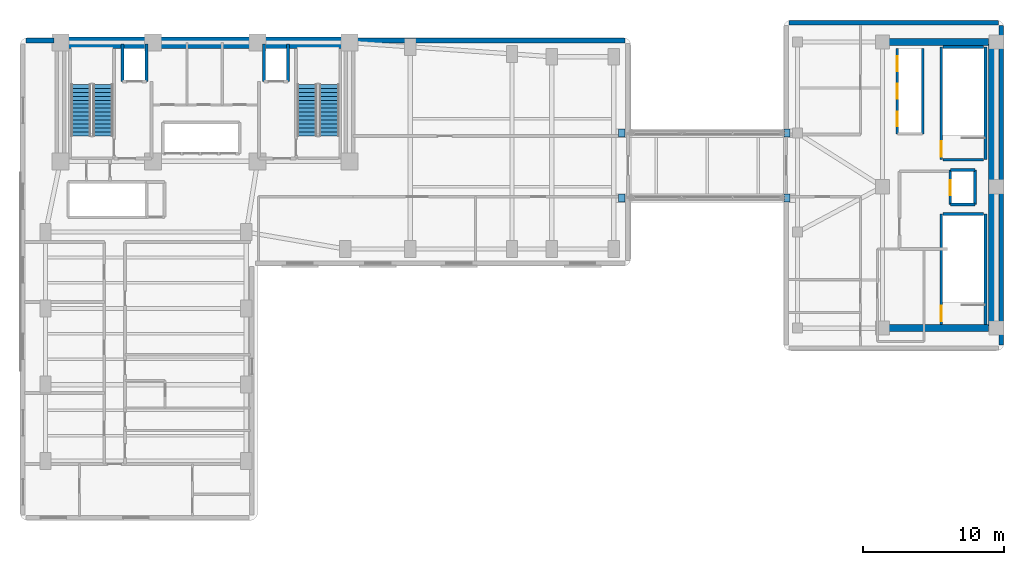
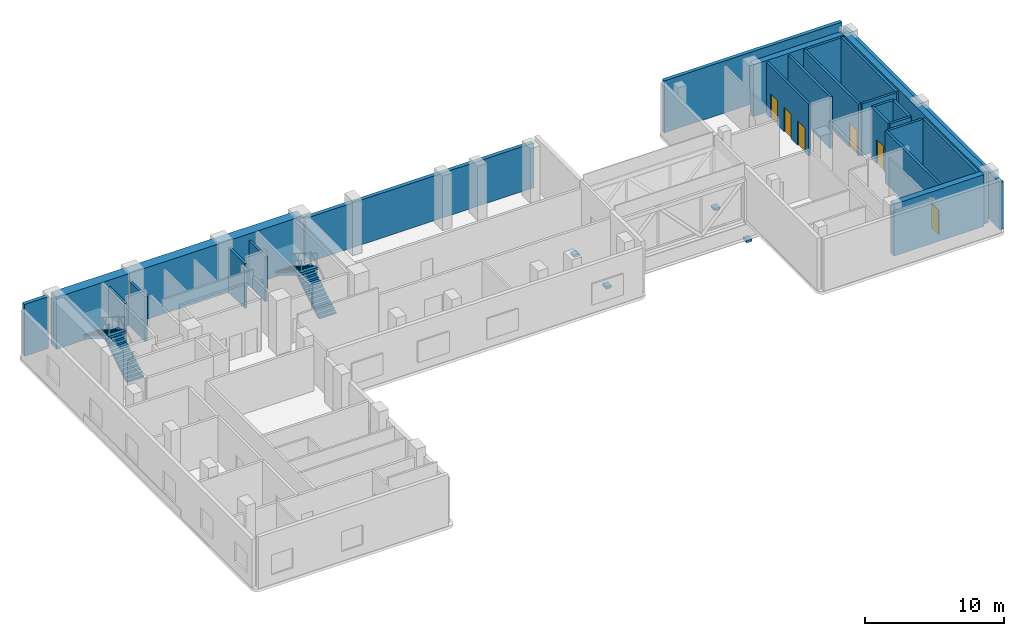
# One storey, part 14 of 17: 25 walls, 6 doors, 4 discrete accessories, 4 stair flights, 6 openings, 2 elements without a shape of their own.
"""IFC4 building model written with IfcOpenShell, lengths in metres."""

from ifc_helpers import new_model, si_unit, direction, frame, frame_2d, origin, origin_2d, place, context, subcontext, project, spatial, polyline, rectangle, outline, extrude, material, layer, layer_set, type_object, element, fill, aggregate, save


model = new_model("IFC4")

# Units and contexts
model_context = context("Model", 3, precision=1e-05, world=origin(), true_north=direction((0.0, 1.0)))
body_context = subcontext(model_context, "Body", "Model", "MODEL_VIEW")
ifc_project = project(units=[si_unit("LENGTHUNIT", "METRE"), si_unit("AREAUNIT", "SQUARE_METRE"), si_unit("VOLUMEUNIT", "CUBIC_METRE"), si_unit("PLANEANGLEUNIT", "RADIAN"), si_unit("MASSUNIT", "GRAM", prefix="KILO")], contexts=[model_context])

# Site, building, storey
site_placement = place(None, origin())
site = spatial("IfcSite", under=ifc_project, at=site_placement, CompositionType="ELEMENT")
building_placement = place(site_placement, origin())
building = spatial("IfcBuilding", under=site, at=building_placement, Name="Kuzgunbayir Cultural Tower", CompositionType="ELEMENT")
storey_placement = place(building_placement, frame((0.0, 0.0, 102.60009765625)))
storey = spatial("IfcBuildingStorey", under=building, at=storey_placement, Name="L29", CompositionType="ELEMENT", Elevation=102.60009765625)

# Walls
ifc_material_1 = material(Name="Concrete C60/75", Category="concrete")
ifc_layer_1 = layer(ifc_material_1, 0.800048828125)
ifc_layer_set_1 = layer_set([ifc_layer_1], Name="Concrete C60/75")
wall_type_1 = type_object("IfcWallType", Name="WAL-CORE-800", PredefinedType="SHEAR", material=ifc_layer_set_1)
wall_1_placement = place(storey_placement, frame((6.449951171875, 42.199951171875, 0.0), z_axis=(0.0, 0.0, 1.0), x_axis=(1.0, 0.0, 0.0)))
element("IfcWall", 1, at=wall_1_placement, inside=storey, type_object=wall_type_1, Name="L29 T1 Core North Shear Wall", PredefinedType="SHEAR", context=body_context, shape_type="SweptSolid", body=[
    extrude(rectangle(XDim=20.449951171875, YDim=0.800048828125, at=frame_2d((10.22509765625, 0.0))), origin(), (0.0, 0.0, 1.0), 4.559814453125),
])
ifc_material_2 = material(Name="Anatolian Cream Limestone", Category="masonry")
ifc_layer_2 = layer(ifc_material_2, 0.300048828125)
ifc_layer_set_2 = layer_set([ifc_layer_2], Name="Anatolian Cream Limestone")
wall_type_2 = type_object("IfcWallType", Name="WAL-EXT-STONE-300", PredefinedType="STANDARD", material=ifc_layer_set_2)
wall_2_placement = place(storey_placement, frame((73.0, 20.800048828125, 0.0), z_axis=(0.0, 0.0, 1.0), x_axis=(0.0, 1.0, 0.0)))
element("IfcWall", 2, at=wall_2_placement, inside=storey, type_object=wall_type_2, Name="L29 Companion East Limestone Wall", PredefinedType="STANDARD", context=body_context, shape_type="SweptSolid", body=[
    extrude(rectangle(XDim=22.599853515625, YDim=0.300048828125, at=frame_2d((11.2998046875, 0.0))), origin(), (0.0, 0.0, 1.0), 4.169921875),
])
wall_3_placement = place(storey_placement, frame((72.800048828125, 43.60009765625, 0.0), z_axis=(0.0, 0.0, 1.0), x_axis=(-1.0, 0.0, 0.0)))
element("IfcWall", 3, at=wall_3_placement, inside=storey, type_object=wall_type_2, Name="L29 Companion North Limestone Wall", PredefinedType="STANDARD", context=body_context, shape_type="SweptSolid", body=[
    extrude(rectangle(XDim=14.800048828125, YDim=0.300048828125, at=frame_2d((7.39990234375, 0.0))), origin(), (0.0, 0.0, 1.0), 4.579833984375),
])
ifc_material_3 = material(Name="Travertine Buff Ashlar", Category="masonry")
ifc_layer_3 = layer(ifc_material_3, 0.320068359375)
ifc_layer_set_3 = layer_set([ifc_layer_3], Name="Travertine Buff Ashlar")
wall_type_3 = type_object("IfcWallType", Name="WAL-EXT-STONE-320", PredefinedType="STANDARD", material=ifc_layer_set_3)
wall_4_placement = place(storey_placement, frame((46.39990234375, 42.35009765625, 0.0), z_axis=(0.0, 0.0, 1.0), x_axis=(-1.0, 0.0, 0.0)))
element("IfcWall", 4, at=wall_4_placement, inside=storey, type_object=wall_type_3, Name="L29 North Wing B Limestone Wall", PredefinedType="STANDARD", context=body_context, shape_type="SweptSolid", body=[
    extrude(rectangle(XDim=19.0498046875, YDim=0.320068359375, at=frame_2d((9.52490234375, 0.0))), origin(), (0.0, 0.0, 1.0), 3.949951171875),
])
wall_5_placement = place(storey_placement, frame((6.0, 42.35009765625, 0.0), z_axis=(0.0, 0.0, 1.0), x_axis=(-1.0, 0.0, 0.0)))
element("IfcWall", 5, at=wall_5_placement, inside=storey, type_object=wall_type_3, Name="L29 Core North-West Spandrel Link", PredefinedType="STANDARD", context=body_context, shape_type="SweptSolid", body=[
    extrude(rectangle(XDim=2.0, YDim=0.320068359375, at=frame_2d((1.0, 0.0))), origin(), (0.0, 0.0, 1.0), 4.559814453125),
])
ifc_material_4 = material(Name="Concrete C40/50", Category="concrete")
ifc_layer_4 = layer(ifc_material_4, 0.199951171875)
ifc_layer_set_4 = layer_set([ifc_layer_4], Name="Concrete C40/50")
wall_type_4 = type_object("IfcWallType", Name="WAL-SHAFT-200", PredefinedType="MOVABLE", material=ifc_layer_set_4)
for number, where, z_axis, x_axis, name in (
    (6, (10.85009765625, 39.449951171875, 0.0), (0.0, 0.0, 1.0), (0.0, 1.0, 0.0), "L29 FFL-1 Shaft West Wall"),
    (7, (12.550048828125, 39.449951171875, 0.0), (0.0, 0.0, 1.0), (0.0, 1.0, 0.0), "L29 FFL-1 Shaft East Wall"),
    (8, (20.85009765625, 39.449951171875, 0.0), (0.0, 0.0, 1.0), (0.0, 1.0, 0.0), "L29 FFL-2 Shaft West Wall"),
    (9, (22.550048828125, 39.449951171875, 0.0), (0.0, 0.0, 1.0), (0.0, 1.0, 0.0), "L29 FFL-2 Shaft East Wall"),
):
    element("IfcWall", number, at=place(storey_placement, frame(where, z_axis=z_axis, x_axis=x_axis)), inside=storey, type_object=wall_type_4, Name=name, PredefinedType="MOVABLE", context=body_context, shape_type="SweptSolid", body=[
        extrude(rectangle(XDim=2.650146484375, YDim=0.199951171875, at=frame_2d((1.3251953125, 0.0))), origin(), (0.0, 0.0, 1.0), 3.949951171875),
    ])

# Wall, openings, doors
wall_6_placement = place(storey_placement, frame((65.64990234375, 35.75, 0.0), z_axis=(0.0, 0.0, 1.0), x_axis=(0.0, 1.0, 0.0)))
wall_6 = element("IfcWall", 10, at=wall_6_placement, inside=storey, type_object=wall_type_4, Name="L29 Companion Lift Front Wall", PredefinedType="MOVABLE", context=body_context, shape_type="SweptSolid", body=[
    extrude(rectangle(XDim=6.050048828125, YDim=0.199951171875, at=frame_2d((3.02490234375, 0.0))), origin(), (0.0, 0.0, 1.0), 4.559814453125),
])
opening_1_placement = place(wall_6_placement, frame((0.52001953125, 0.0, 0.0)))
opening_1 = element("IfcOpeningElement", 11, at=opening_1_placement, cuts=wall_6, Name="Opening LD", PredefinedType="OPENING", context=body_context, shape_type="SweptSolid", body=[
    extrude(rectangle(XDim=1.050048828125, YDim=2.14990234375, at=frame_2d((0.52490234375, 1.074951171875))), frame((0.0, 0.10986328125, 0.0), z_axis=(0.0, -1.0, 0.0), x_axis=(1.0, 0.0, 0.0)), (0.0, 0.0, 1.0), 0.219970703125),
])
opening_2_placement = place(wall_6_placement, frame((2.47998046875, 0.0, 0.0)))
opening_2 = element("IfcOpeningElement", 12, at=opening_2_placement, cuts=wall_6, Name="Opening LD", PredefinedType="OPENING", context=body_context, shape_type="SweptSolid", body=[
    extrude(rectangle(XDim=1.050048828125, YDim=2.14990234375, at=frame_2d((0.52490234375, 1.074951171875))), frame((0.0, 0.10986328125, 0.0), z_axis=(0.0, -1.0, 0.0), x_axis=(1.0, 0.0, 0.0)), (0.0, 0.0, 1.0), 0.219970703125),
])
opening_3_placement = place(wall_6_placement, frame((4.429931640625, 0.0, 0.0)))
opening_3 = element("IfcOpeningElement", 13, at=opening_3_placement, cuts=wall_6, Name="Opening LD", PredefinedType="OPENING", context=body_context, shape_type="SweptSolid", body=[
    extrude(rectangle(XDim=1.050048828125, YDim=2.14990234375, at=frame_2d((0.52490234375, 1.074951171875))), frame((0.0, 0.10986328125, 0.0), z_axis=(0.0, -1.0, 0.0), x_axis=(1.0, 0.0, 0.0)), (0.0, 0.0, 1.0), 0.219970703125),
])
ifc_material_5 = material(Name="Brushed Stainless Steel", Category="steel")
door_type_1 = type_object("IfcDoorType", Name="DR-LIFT-LANDING", OperationType="SLIDING_TO_LEFT", PredefinedType="DOOR", material=ifc_material_5)
door_1_placement = place(opening_1_placement, origin())
door_1 = element("IfcDoor", 14, at=door_1_placement, inside=storey, type_object=door_type_1, Name="L29 Lift PC-1 Landing Door", OperationType="SLIDING_TO_LEFT", OverallHeight=2.14990234375, OverallWidth=1.050048828125, PredefinedType="DOOR", context=body_context, shape_type="SweptSolid", body=[
    extrude(rectangle(XDim=1.050048828125, YDim=2.14990234375, at=frame_2d((0.52490234375, 1.074951171875))), frame((0.0, 0.02490234375, 0.0), z_axis=(0.0, -1.0, 0.0), x_axis=(1.0, 0.0, 0.0)), (0.0, 0.0, 1.0), 0.050048828125),
])
fill(opening_1, door_1)
door_2_placement = place(opening_2_placement, origin())
door_2 = element("IfcDoor", 15, at=door_2_placement, inside=storey, type_object=door_type_1, Name="L29 Lift PC-2 Landing Door", OperationType="SLIDING_TO_LEFT", OverallHeight=2.14990234375, OverallWidth=1.050048828125, PredefinedType="DOOR", context=body_context, shape_type="SweptSolid", body=[
    extrude(rectangle(XDim=1.050048828125, YDim=2.14990234375, at=frame_2d((0.52490234375, 1.074951171875))), frame((0.0, 0.02490234375, 0.0), z_axis=(0.0, -1.0, 0.0), x_axis=(1.0, 0.0, 0.0)), (0.0, 0.0, 1.0), 0.050048828125),
])
fill(opening_2, door_2)
door_3_placement = place(opening_3_placement, origin())
door_3 = element("IfcDoor", 16, at=door_3_placement, inside=storey, type_object=door_type_1, Name="L29 Lift PC-3 Landing Door", OperationType="SLIDING_TO_LEFT", OverallHeight=2.14990234375, OverallWidth=1.050048828125, PredefinedType="DOOR", context=body_context, shape_type="SweptSolid", body=[
    extrude(rectangle(XDim=1.050048828125, YDim=2.14990234375, at=frame_2d((0.52490234375, 1.074951171875))), frame((0.0, 0.02490234375, 0.0), z_axis=(0.0, -1.0, 0.0), x_axis=(1.0, 0.0, 0.0)), (0.0, 0.0, 1.0), 0.050048828125),
])
fill(opening_3, door_3)

# Wall
wall_7_placement = place(storey_placement, frame((67.449951171875, 35.75, 0.0), z_axis=(0.0, 0.0, 1.0), x_axis=(0.0, 1.0, 0.0)))
element("IfcWall", 17, at=wall_7_placement, inside=storey, type_object=wall_type_4, Name="L29 Companion Lift Shaft Back Wall", PredefinedType="MOVABLE", context=body_context, shape_type="SweptSolid", body=[
    extrude(rectangle(XDim=6.050048828125, YDim=0.199951171875, at=frame_2d((3.02490234375, 0.0))), origin(), (0.0, 0.0, 1.0), 4.559814453125),
])

# Wall, opening, door
wall_8_placement = place(storey_placement, frame((69.39990234375, 30.75, 0.0), z_axis=(0.0, 0.0, 1.0), x_axis=(0.0, 1.0, 0.0)))
wall_8 = element("IfcWall", 18, at=wall_8_placement, inside=storey, type_object=wall_type_4, Name="L29 FFL-3 Lift Front Wall", PredefinedType="MOVABLE", context=body_context, shape_type="SweptSolid", body=[
    extrude(rectangle(XDim=2.449951171875, YDim=0.199951171875, at=frame_2d((1.22509765625, 0.0))), origin(), (0.0, 0.0, 1.0), 4.559814453125),
])
opening_4_placement = place(wall_8_placement, frame((0.64990234375, 0.0, 0.0)))
opening_4 = element("IfcOpeningElement", 19, at=opening_4_placement, cuts=wall_8, Name="Opening LD", PredefinedType="OPENING", context=body_context, shape_type="SweptSolid", body=[
    extrude(rectangle(XDim=1.050048828125, YDim=2.14990234375, at=frame_2d((0.52490234375, 1.074951171875))), frame((0.0, 0.10986328125, 0.0), z_axis=(0.0, -1.0, 0.0), x_axis=(1.0, 0.0, 0.0)), (0.0, 0.0, 1.0), 0.219970703125),
])
door_4_placement = place(opening_4_placement, origin())
door_4 = element("IfcDoor", 20, at=door_4_placement, inside=storey, type_object=door_type_1, Name="L29 Lift FFL-3 Landing Door", OperationType="SLIDING_TO_LEFT", OverallHeight=2.14990234375, OverallWidth=1.050048828125, PredefinedType="DOOR", context=body_context, shape_type="SweptSolid", body=[
    extrude(rectangle(XDim=1.050048828125, YDim=2.14990234375, at=frame_2d((0.52490234375, 1.074951171875))), frame((0.0, 0.02490234375, 0.0), z_axis=(0.0, -1.0, 0.0), x_axis=(1.0, 0.0, 0.0)), (0.0, 0.0, 1.0), 0.050048828125),
])
fill(opening_4, door_4)

# Walls
wall_9_placement = place(storey_placement, frame((71.14990234375, 30.75, 0.0), z_axis=(0.0, 0.0, 1.0), x_axis=(0.0, 1.0, 0.0)))
element("IfcWall", 21, at=wall_9_placement, inside=storey, type_object=wall_type_4, Name="L29 FFL-3 Shaft Back Wall", PredefinedType="MOVABLE", context=body_context, shape_type="SweptSolid", body=[
    extrude(rectangle(XDim=2.449951171875, YDim=0.199951171875, at=frame_2d((1.22509765625, 0.0))), origin(), (0.0, 0.0, 1.0), 4.559814453125),
])
for number, where, z_axis, x_axis, name in (
    (22, (69.39990234375, 33.199951171875, 0.0), (0.0, 0.0, 1.0), (1.0, 0.0, 0.0), "L29 FFL-3 Shaft North Wall"),
    (23, (69.39990234375, 30.75, 0.0), (0.0, 0.0, 1.0), (1.0, 0.0, 0.0), "L29 FFL-3 Shaft South Wall"),
):
    element("IfcWall", number, at=place(storey_placement, frame(where, z_axis=z_axis, x_axis=x_axis)), inside=storey, type_object=wall_type_4, Name=name, PredefinedType="MOVABLE", context=body_context, shape_type="SweptSolid", body=[
        extrude(rectangle(XDim=1.75, YDim=0.199951171875, at=frame_2d((0.875, 0.0))), origin(), (0.0, 0.0, 1.0), 4.559814453125),
    ])

# Wall, opening, door
ifc_layer_5 = layer(ifc_material_4, 0.199951171875)
ifc_layer_set_5 = layer_set([ifc_layer_5], Name="Concrete C40/50")
wall_type_5 = type_object("IfcWallType", Name="WAL-STAIR-RC-200", PredefinedType="SHEAR", material=ifc_layer_set_5)
wall_10_placement = place(storey_placement, frame((68.760009765625, 22.260009765625, 0.0), z_axis=(0.0, 0.0, 1.0), x_axis=(0.0, 1.0, 0.0)))
wall_10 = element("IfcWall", 24, at=wall_10_placement, inside=storey, type_object=wall_type_5, Name="L29 Stair ST-3 West Structural Wall", PredefinedType="SHEAR", context=body_context, shape_type="SweptSolid", body=[
    extrude(rectangle(XDim=7.820068359375, YDim=0.199951171875, at=frame_2d((3.91015625, 0.0))), origin(), (0.0, 0.0, 1.0), 4.559814453125),
])
opening_5_placement = place(wall_10_placement, frame((0.219970703125, 0.0, 0.0)))
opening_5 = element("IfcOpeningElement", 25, at=opening_5_placement, cuts=wall_10, Name="Opening DR-STAIR-90", PredefinedType="OPENING", context=body_context, shape_type="SweptSolid", body=[
    extrude(rectangle(XDim=1.10009765625, YDim=2.14990234375, at=frame_2d((0.550048828125, 1.074951171875))), frame((0.0, 0.10986328125, 0.0), z_axis=(0.0, -1.0, 0.0), x_axis=(1.0, 0.0, 0.0)), (0.0, 0.0, 1.0), 0.219970703125),
])
ifc_material_6 = material(Name="Steel S355J2", Category="steel")
door_type_2 = type_object("IfcDoorType", Name="DR-STAIR-90", OperationType="NOTDEFINED", PredefinedType="DOOR", material=ifc_material_6)
door_5_placement = place(opening_5_placement, origin())
door_5 = element("IfcDoor", 26, at=door_5_placement, inside=storey, type_object=door_type_2, Name="L29 Stair ST-3 Fire Door", OperationType="SINGLE_SWING_LEFT", OverallHeight=2.14990234375, OverallWidth=1.10009765625, PredefinedType="DOOR", context=body_context, shape_type="SweptSolid", body=[
    extrude(rectangle(XDim=1.10009765625, YDim=2.14990234375, at=frame_2d((0.550048828125, 1.074951171875))), frame((0.0, 0.02490234375, 0.0), z_axis=(0.0, -1.0, 0.0), x_axis=(1.0, 0.0, 0.0)), (0.0, 0.0, 1.0), 0.050048828125),
])
fill(opening_5, door_5)

# Walls
wall_11_placement = place(storey_placement, frame((71.8798828125, 22.260009765625, 0.0), z_axis=(0.0, 0.0, 1.0), x_axis=(0.0, 1.0, 0.0)))
element("IfcWall", 27, at=wall_11_placement, inside=storey, type_object=wall_type_5, Name="L29 Stair ST-3 East Structural Wall", PredefinedType="SHEAR", context=body_context, shape_type="SweptSolid", body=[
    extrude(rectangle(XDim=7.820068359375, YDim=0.199951171875, at=frame_2d((3.91015625, 0.0))), origin(), (0.0, 0.0, 1.0), 4.559814453125),
])
wall_12_placement = place(storey_placement, frame((68.8798828125, 30.080078125, 0.0), z_axis=(0.0, 0.0, 1.0), x_axis=(1.0, 0.0, 0.0)))
element("IfcWall", 28, at=wall_12_placement, inside=storey, type_object=wall_type_5, Name="L29 Stair ST-3 North Structural Wall", PredefinedType="SHEAR", context=body_context, shape_type="SweptSolid", body=[
    extrude(rectangle(XDim=2.880126953125, YDim=0.199951171875, at=frame_2d((1.43994140625, 0.0))), origin(), (0.0, 0.0, 1.0), 4.559814453125),
])

# Wall, opening, door
wall_13_placement = place(storey_placement, frame((68.760009765625, 33.919921875, 0.0), z_axis=(0.0, 0.0, 1.0), x_axis=(0.0, 1.0, 0.0)))
wall_13 = element("IfcWall", 29, at=wall_13_placement, inside=storey, type_object=wall_type_5, Name="L29 Stair ST-4 West Structural Wall", PredefinedType="SHEAR", context=body_context, shape_type="SweptSolid", body=[
    extrude(rectangle(XDim=7.9599609375, YDim=0.199951171875, at=frame_2d((3.97998046875, 0.0))), origin(), (0.0, 0.0, 1.0), 4.559814453125),
])
opening_6_placement = place(wall_13_placement, frame((0.219970703125, 0.0, 0.0)))
opening_6 = element("IfcOpeningElement", 30, at=opening_6_placement, cuts=wall_13, Name="Opening DR-STAIR-90", PredefinedType="OPENING", context=body_context, shape_type="SweptSolid", body=[
    extrude(rectangle(XDim=1.10009765625, YDim=2.14990234375, at=frame_2d((0.550048828125, 1.074951171875))), frame((0.0, 0.10986328125, 0.0), z_axis=(0.0, -1.0, 0.0), x_axis=(1.0, 0.0, 0.0)), (0.0, 0.0, 1.0), 0.219970703125),
])
door_6_placement = place(opening_6_placement, origin())
door_6 = element("IfcDoor", 31, at=door_6_placement, inside=storey, type_object=door_type_2, Name="L29 Stair ST-4 Fire Door", OperationType="SINGLE_SWING_RIGHT", OverallHeight=2.14990234375, OverallWidth=1.10009765625, PredefinedType="DOOR", context=body_context, shape_type="SweptSolid", body=[
    extrude(rectangle(XDim=1.10009765625, YDim=2.14990234375, at=frame_2d((0.550048828125, 1.074951171875))), frame((0.0, 0.02490234375, 0.0), z_axis=(0.0, -1.0, 0.0), x_axis=(1.0, 0.0, 0.0)), (0.0, 0.0, 1.0), 0.050048828125),
])
fill(opening_6, door_6)

# Walls
wall_14_placement = place(storey_placement, frame((71.8798828125, 33.919921875, 0.0), z_axis=(0.0, 0.0, 1.0), x_axis=(0.0, 1.0, 0.0)))
element("IfcWall", 32, at=wall_14_placement, inside=storey, type_object=wall_type_5, Name="L29 Stair ST-4 East Structural Wall", PredefinedType="SHEAR", context=body_context, shape_type="SweptSolid", body=[
    extrude(rectangle(XDim=7.9599609375, YDim=0.199951171875, at=frame_2d((3.97998046875, 0.0))), origin(), (0.0, 0.0, 1.0), 4.559814453125),
])
for number, where, z_axis, x_axis, name in (
    (33, (68.8798828125, 41.8798828125, 0.0), (0.0, 0.0, 1.0), (1.0, 0.0, 0.0), "L29 Stair ST-4 North Structural Wall"),
    (34, (68.8798828125, 33.919921875, 0.0), (0.0, 0.0, 1.0), (1.0, 0.0, 0.0), "L29 Stair ST-4 South Structural Wall"),
):
    element("IfcWall", number, at=place(storey_placement, frame(where, z_axis=z_axis, x_axis=x_axis)), inside=storey, type_object=wall_type_5, Name=name, PredefinedType="SHEAR", context=body_context, shape_type="SweptSolid", body=[
        extrude(rectangle(XDim=2.880126953125, YDim=0.199951171875, at=frame_2d((1.43994140625, 0.0))), origin(), (0.0, 0.0, 1.0), 4.559814453125),
    ])
ifc_layer_6 = layer(ifc_material_1, 0.5)
ifc_layer_set_6 = layer_set([ifc_layer_6], Name="Concrete C60/75")
wall_type_6 = type_object("IfcWallType", Name="WAL-T2-CORE-500", PredefinedType="SHEAR", material=ifc_layer_set_6)
wall_15_placement = place(storey_placement, frame((72.35009765625, 22.0, 0.0), z_axis=(0.0, 0.0, 1.0), x_axis=(0.0, 1.0, 0.0)))
element("IfcWall", 35, at=wall_15_placement, inside=storey, type_object=wall_type_6, Name="L29 Companion Core East Shear Wall", PredefinedType="SHEAR", context=body_context, shape_type="SweptSolid", body=[
    extrude(rectangle(XDim=20.25, YDim=0.5, at=frame_2d((10.125, 0.0))), origin(), (0.0, 0.0, 1.0), 4.559814453125),
])
for number, where, z_axis, x_axis, name in (
    (36, (64.60009765625, 42.25, 0.0), (0.0, 0.0, 1.0), (1.0, 0.0, 0.0), "L29 Companion Core North Shear Wall"),
    (37, (64.60009765625, 22.0, 0.0), (0.0, 0.0, 1.0), (1.0, 0.0, 0.0), "L29 Companion Core South Shear Wall"),
):
    element("IfcWall", number, at=place(storey_placement, frame(where, z_axis=z_axis, x_axis=x_axis)), inside=storey, type_object=wall_type_6, Name=name, PredefinedType="SHEAR", context=body_context, shape_type="SweptSolid", body=[
        extrude(rectangle(XDim=7.5, YDim=0.5, at=frame_2d((3.75, 0.0))), origin(), (0.0, 0.0, 1.0), 4.559814453125),
    ])

# Stair, stair flights
stair_type = type_object("IfcStairType", Name="STR-EXIT-CORE", PredefinedType="HALF_TURN_STAIR", material=ifc_material_4)
stair_1_placement = place(storey_placement, origin())
stair_1 = element("IfcStair", 38, at=stair_1_placement, inside=storey, type_object=stair_type, Name="L29 ST-1", PredefinedType="HALF_TURN_STAIR")
stair_flight_type = type_object("IfcStairFlightType", Name="STRF-RC-140", PredefinedType="STRAIGHT", material=ifc_material_4)
stair_flight_1_placement = place(storey_placement, frame((9.4599609375, 35.60009765625, 0.0), z_axis=(0.0, 0.0, 1.0), x_axis=(0.0, 1.0, 0.0)))
stair_flight_1 = element("IfcStairFlight", 39, at=stair_flight_1_placement, type_object=stair_flight_type, Name="ST-1 flight 1", NumberOfRisers=14, NumberOfTreads=13, PredefinedType="STRAIGHT", RiserHeight=0.171428571, TreadLength=0.28, context=body_context, shape_type="SweptSolid", body=[
    extrude(outline(polyline([(0.0, 0.0), (0.0, 0.17138671875), (0.280029296875, 0.17138671875), (0.280029296875, 0.3427734375), (0.56005859375, 0.3427734375), (0.56005859375, 0.514404296875), (0.840087890625, 0.514404296875), (0.840087890625, 0.685791015625), (1.1201171875, 0.685791015625), (1.1201171875, 0.857177734375), (1.39990234375, 0.857177734375), (1.39990234375, 1.028564453125), (1.679931640625, 1.028564453125), (1.679931640625, 1.199951171875), (1.9599609375, 1.199951171875), (1.9599609375, 1.371337890625), (2.239990234375, 1.371337890625), (2.239990234375, 1.54296875), (2.52001953125, 1.54296875), (2.52001953125, 1.71435546875), (2.800048828125, 1.71435546875), (2.800048828125, 1.8857421875), (3.080078125, 1.8857421875), (3.080078125, 2.05712890625), (3.360107421875, 2.05712890625), (3.360107421875, 2.228515625), (3.639892578125, 2.228515625), (3.639892578125, 2.39990234375), (3.639892578125, 2.017578125), (0.344482421875, 0.0), (0.0, 0.0)])), frame((0.0, 0.699951171875, 0.0), z_axis=(0.0, -1.0, 0.0), x_axis=(1.0, 0.0, 0.0)), (0.0, 0.0, 1.0), 1.39990234375),
])
stair_flight_2_placement = place(storey_placement, frame((7.89990234375, 39.239990234375, 2.39990234375), z_axis=(0.0, 0.0, 1.0), x_axis=(0.0, -1.0, 0.0)))
stair_flight_2 = element("IfcStairFlight", 40, at=stair_flight_2_placement, type_object=stair_flight_type, Name="ST-1 flight 2", NumberOfRisers=14, NumberOfTreads=13, PredefinedType="STRAIGHT", RiserHeight=0.171428571, TreadLength=0.28, context=body_context, shape_type="SweptSolid", body=[
    extrude(outline(polyline([(0.0, 0.0), (0.0, 0.17138671875), (0.280029296875, 0.17138671875), (0.280029296875, 0.3427734375), (0.56005859375, 0.3427734375), (0.56005859375, 0.514404296875), (0.840087890625, 0.514404296875), (0.840087890625, 0.685791015625), (1.1201171875, 0.685791015625), (1.1201171875, 0.857177734375), (1.39990234375, 0.857177734375), (1.39990234375, 1.028564453125), (1.679931640625, 1.028564453125), (1.679931640625, 1.199951171875), (1.9599609375, 1.199951171875), (1.9599609375, 1.371337890625), (2.239990234375, 1.371337890625), (2.239990234375, 1.54296875), (2.52001953125, 1.54296875), (2.52001953125, 1.71435546875), (2.800048828125, 1.71435546875), (2.800048828125, 1.8857421875), (3.080078125, 1.8857421875), (3.080078125, 2.05712890625), (3.360107421875, 2.05712890625), (3.360107421875, 2.228515625), (3.639892578125, 2.228515625), (3.639892578125, 2.39990234375), (3.639892578125, 2.017578125), (0.344482421875, 0.0), (0.0, 0.0)])), frame((0.0, 0.699951171875, 0.0), z_axis=(0.0, -1.0, 0.0), x_axis=(1.0, 0.0, 0.0)), (0.0, 0.0, 1.0), 1.39990234375),
])
aggregate(stair_1, [stair_flight_1, stair_flight_2])

stair_2_placement = place(storey_placement, origin())
stair_2 = element("IfcStair", 41, at=stair_2_placement, inside=storey, type_object=stair_type, Name="L29 ST-2", PredefinedType="HALF_TURN_STAIR")
stair_flight_3_placement = place(storey_placement, frame((25.4599609375, 35.60009765625, 0.0), z_axis=(0.0, 0.0, 1.0), x_axis=(0.0, 1.0, 0.0)))
stair_flight_3 = element("IfcStairFlight", 42, at=stair_flight_3_placement, type_object=stair_flight_type, Name="ST-2 flight 1", NumberOfRisers=14, NumberOfTreads=13, PredefinedType="STRAIGHT", RiserHeight=0.171428571, TreadLength=0.28, context=body_context, shape_type="SweptSolid", body=[
    extrude(outline(polyline([(0.0, 0.0), (0.0, 0.17138671875), (0.280029296875, 0.17138671875), (0.280029296875, 0.3427734375), (0.56005859375, 0.3427734375), (0.56005859375, 0.514404296875), (0.840087890625, 0.514404296875), (0.840087890625, 0.685791015625), (1.1201171875, 0.685791015625), (1.1201171875, 0.857177734375), (1.39990234375, 0.857177734375), (1.39990234375, 1.028564453125), (1.679931640625, 1.028564453125), (1.679931640625, 1.199951171875), (1.9599609375, 1.199951171875), (1.9599609375, 1.371337890625), (2.239990234375, 1.371337890625), (2.239990234375, 1.54296875), (2.52001953125, 1.54296875), (2.52001953125, 1.71435546875), (2.800048828125, 1.71435546875), (2.800048828125, 1.8857421875), (3.080078125, 1.8857421875), (3.080078125, 2.05712890625), (3.360107421875, 2.05712890625), (3.360107421875, 2.228515625), (3.639892578125, 2.228515625), (3.639892578125, 2.39990234375), (3.639892578125, 2.017578125), (0.344482421875, 0.0), (0.0, 0.0)])), frame((0.0, 0.699951171875, 0.0), z_axis=(0.0, -1.0, 0.0), x_axis=(1.0, 0.0, 0.0)), (0.0, 0.0, 1.0), 1.39990234375),
])
stair_flight_4_placement = place(storey_placement, frame((23.89990234375, 39.239990234375, 2.39990234375), z_axis=(0.0, 0.0, 1.0), x_axis=(0.0, -1.0, 0.0)))
stair_flight_4 = element("IfcStairFlight", 43, at=stair_flight_4_placement, type_object=stair_flight_type, Name="ST-2 flight 2", NumberOfRisers=14, NumberOfTreads=13, PredefinedType="STRAIGHT", RiserHeight=0.171428571, TreadLength=0.28, context=body_context, shape_type="SweptSolid", body=[
    extrude(outline(polyline([(0.0, 0.0), (0.0, 0.17138671875), (0.280029296875, 0.17138671875), (0.280029296875, 0.3427734375), (0.56005859375, 0.3427734375), (0.56005859375, 0.514404296875), (0.840087890625, 0.514404296875), (0.840087890625, 0.685791015625), (1.1201171875, 0.685791015625), (1.1201171875, 0.857177734375), (1.39990234375, 0.857177734375), (1.39990234375, 1.028564453125), (1.679931640625, 1.028564453125), (1.679931640625, 1.199951171875), (1.9599609375, 1.199951171875), (1.9599609375, 1.371337890625), (2.239990234375, 1.371337890625), (2.239990234375, 1.54296875), (2.52001953125, 1.54296875), (2.52001953125, 1.71435546875), (2.800048828125, 1.71435546875), (2.800048828125, 1.8857421875), (3.080078125, 1.8857421875), (3.080078125, 2.05712890625), (3.360107421875, 2.05712890625), (3.360107421875, 2.228515625), (3.639892578125, 2.228515625), (3.639892578125, 2.39990234375), (3.639892578125, 2.017578125), (0.344482421875, 0.0), (0.0, 0.0)])), frame((0.0, 0.699951171875, 0.0), z_axis=(0.0, -1.0, 0.0), x_axis=(1.0, 0.0, 0.0)), (0.0, 0.0, 1.0), 1.39990234375),
])
aggregate(stair_2, [stair_flight_3, stair_flight_4])

# Discrete accessories
ifc_material_7 = material(Name="Steel S460M", Category="steel")
ifc_layer_7 = layer(ifc_material_7, 0.219970703125)
ifc_layer_set_7 = layer_set([ifc_layer_7], Name="Steel S460M")
discrete_accessory_type_1 = type_object("IfcDiscreteAccessoryType", Name="ACC-BEARING-PIN", PredefinedType="BRACKET", material=ifc_layer_set_7)
for number, where, z_axis, x_axis, name in (
    (44, (46.14990234375, 31.199951171875, -1.9599609375), (0.0, 0.0, 1.0), (1.0, 0.0, 0.0), "Skybridge West Pinned Bearing PB-PIN S"),
    (45, (46.14990234375, 35.800048828125, -1.9599609375), (0.0, 0.0, 1.0), (1.0, 0.0, 0.0), "Skybridge West Pinned Bearing PB-PIN N"),
):
    element("IfcDiscreteAccessory", number, at=place(storey_placement, frame(where, z_axis=z_axis, x_axis=x_axis)), inside=storey, type_object=discrete_accessory_type_1, Name=name, PredefinedType="BRACKET", context=body_context, shape_type="SweptSolid", body=[
        extrude(rectangle(XDim=0.449951171875, YDim=0.550048828125, at=origin_2d()), origin(), (0.0, 0.0, 1.0), 0.219970703125),
    ])
ifc_layer_8 = layer(ifc_material_7, 0.219970703125)
ifc_layer_set_8 = layer_set([ifc_layer_8], Name="Steel S460M")
discrete_accessory_type_2 = type_object("IfcDiscreteAccessoryType", Name="ACC-BEARING-SLIDE", PredefinedType="BRACKET", material=ifc_layer_set_8)
for number, where, z_axis, x_axis, name in (
    (46, (57.85009765625, 31.199951171875, -1.9599609375), (0.0, 0.0, 1.0), (1.0, 0.0, 0.0), "Skybridge East Biaxial PTFE Sliding Bearing PB-SLIDE S"),
    (47, (57.85009765625, 35.800048828125, -1.9599609375), (0.0, 0.0, 1.0), (1.0, 0.0, 0.0), "Skybridge East Biaxial PTFE Sliding Bearing PB-SLIDE N"),
):
    element("IfcDiscreteAccessory", number, at=place(storey_placement, frame(where, z_axis=z_axis, x_axis=x_axis)), inside=storey, type_object=discrete_accessory_type_2, Name=name, PredefinedType="BRACKET", context=body_context, shape_type="SweptSolid", body=[
        extrude(rectangle(XDim=0.449951171875, YDim=0.550048828125, at=origin_2d()), origin(), (0.0, 0.0, 1.0), 0.219970703125),
    ])

save(model, "model.ifc")
